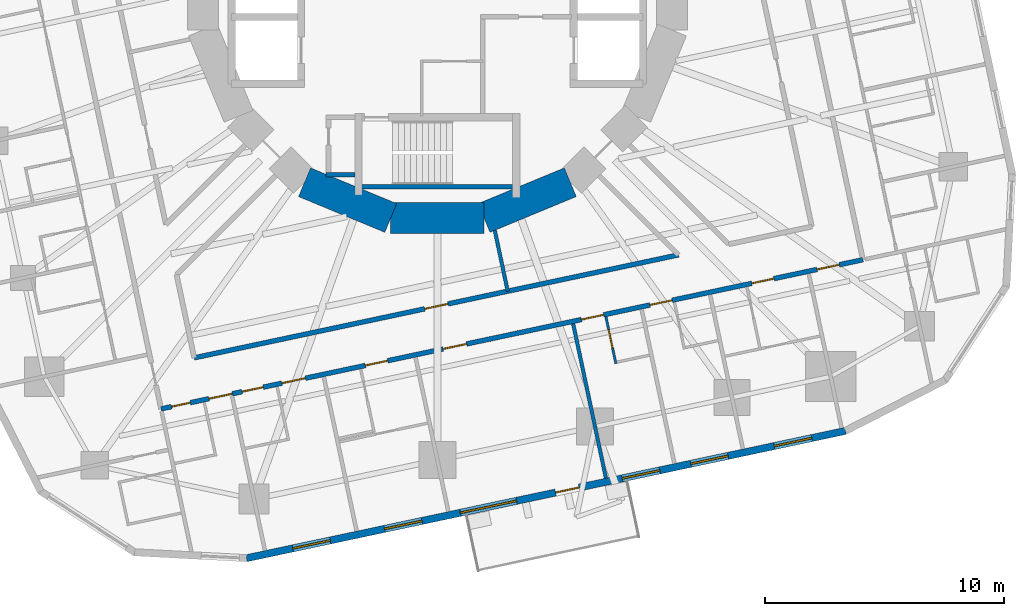
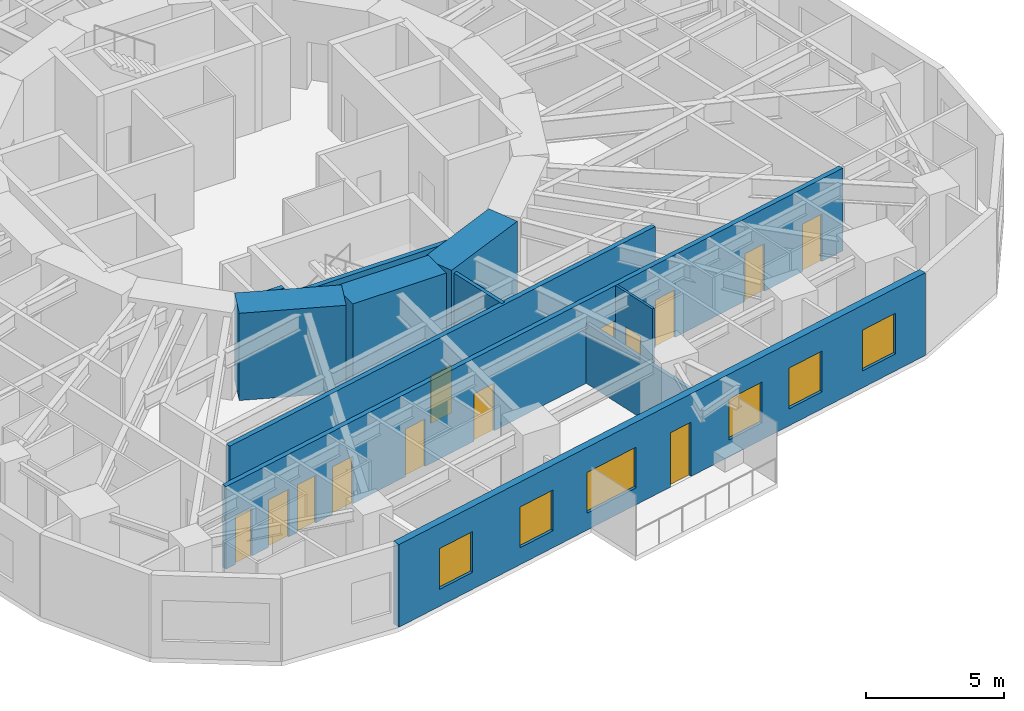
# One storey, part 5 of 14: 13 doors, 11 walls, 6 windows, 19 openings.
"""IFC4 building model written with IfcOpenShell, lengths in metres."""

from ifc_helpers import new_model, si_unit, direction, frame, frame_2d, origin, place, context, subcontext, project, spatial, rectangle, extrude, material, layer, layer_set, type_object, element, fill, save


model = new_model("IFC4")

# Units and contexts
model_context = context("Model", 3, precision=1e-05, world=origin(), true_north=direction((0.0, 1.0)))
body_context = subcontext(model_context, "Body", "Model", "MODEL_VIEW")
ifc_project = project(units=[si_unit("LENGTHUNIT", "METRE"), si_unit("AREAUNIT", "SQUARE_METRE"), si_unit("VOLUMEUNIT", "CUBIC_METRE"), si_unit("PLANEANGLEUNIT", "RADIAN"), si_unit("MASSUNIT", "GRAM", prefix="KILO")], contexts=[model_context])

# Site, building, storey
site_placement = place(None, origin())
site = spatial("IfcSite", under=ifc_project, at=site_placement, CompositionType="ELEMENT")
building_placement = place(site_placement, origin())
building = spatial("IfcBuilding", under=site, at=building_placement, Name="Nakasero Lantern House", CompositionType="ELEMENT")
storey_placement = place(building_placement, frame((0.0, 0.0, 108.85009765625)))
storey = spatial("IfcBuildingStorey", under=building, at=storey_placement, Name="L26", CompositionType="ELEMENT", Elevation=108.85009765625)

# Walls
ifc_material_1 = material(Name="Concrete C50/60", Category="concrete")
ifc_layer_1 = layer(ifc_material_1, 1.300048828125)
ifc_layer_set_1 = layer_set([ifc_layer_1], Name="Core wall 1300")
wall_type_1 = type_object("IfcWallType", Name="Core wall 1300", PredefinedType="SHEAR", material=ifc_layer_set_1)
for number, where, z_axis, x_axis, name in (
    (1, (-5.5556640625, -8.314697265625, 0.0), (0.0, 0.0, 1.0), (0.923876507187, -0.382690736062, 0.0), "Core wall L26 facet 11"),
    (2, (-1.950927734375, -9.807861328125, 0.0), (0.0, 0.0, 1.0), (1.0, 0.0, 0.0), "Core wall L26 facet 12"),
    (3, (1.950927734375, -9.807861328125, 0.0), (0.0, 0.0, 1.0), (0.923876507187, 0.382690736062, 0.0), "Core wall L26 facet 13"),
):
    element("IfcWall", number, at=place(storey_placement, frame(where, z_axis=z_axis, x_axis=x_axis)), inside=storey, type_object=wall_type_1, Name=name, PredefinedType="SHEAR", context=body_context, shape_type="SweptSolid", body=[
        extrude(rectangle(XDim=3.90185546875, YDim=1.300048828125, at=frame_2d((1.950927734375, 0.0))), origin(), (0.0, 0.0, 1.0), 3.849853515625),
    ])

# Wall, openings, doors
ifc_material_2 = material(Name="Blockwork", Category="masonry")
ifc_layer_2 = layer(ifc_material_2, 0.199951171875)
ifc_layer_set_2 = layer_set([ifc_layer_2], Name="Corridor wall 200")
wall_type_2 = type_object("IfcWallType", Name="Corridor wall 200", PredefinedType="PARTITIONING", material=ifc_layer_set_2)
wall_1_placement = place(storey_placement, frame((-11.553466796875, -17.790771484375, 0.0), z_axis=(0.0, 0.0, 1.0), x_axis=(0.978147639417, 0.207911508826, 0.0)))
wall_1 = element("IfcWall", 4, at=wall_1_placement, inside=storey, type_object=wall_type_2, Name="Corridor wall L26 CW3", PredefinedType="PARTITIONING", context=body_context, shape_type="SweptSolid", body=[
    extrude(rectangle(XDim=29.999755859375, YDim=0.199951171875, at=frame_2d((15.0, 0.0))), origin(), (0.0, 0.0, 1.0), 3.64990234375),
])
opening_1_placement = place(wall_1_placement, frame((0.449951171875, 0.0, 0.0)))
opening_1 = element("IfcOpeningElement", 5, at=opening_1_placement, cuts=wall_1, Name="Opening D15", PredefinedType="OPENING", context=body_context, shape_type="SweptSolid", body=[
    extrude(rectangle(XDim=0.800048828125, YDim=2.10009765625, at=frame_2d((0.39990234375, 1.050048828125))), frame((0.0, 0.119873046875, 0.0), z_axis=(0.0, -1.0, 0.0), x_axis=(1.0, 0.0, 0.0)), (0.0, 0.0, 1.0), 0.239990234375),
])
opening_2_placement = place(wall_1_placement, frame((2.050048828125, 0.0, 0.0)))
opening_2 = element("IfcOpeningElement", 6, at=opening_2_placement, cuts=wall_1, Name="Opening D07", PredefinedType="OPENING", context=body_context, shape_type="SweptSolid", body=[
    extrude(rectangle(XDim=1.0, YDim=2.10009765625, at=frame_2d((0.5, 1.050048828125))), frame((0.0, 0.119873046875, 0.0), z_axis=(0.0, -1.0, 0.0), x_axis=(1.0, 0.0, 0.0)), (0.0, 0.0, 1.0), 0.239990234375),
])
opening_3_placement = place(wall_1_placement, frame((3.466064453125, 0.0, 0.0)))
opening_3 = element("IfcOpeningElement", 7, at=opening_3_placement, cuts=wall_1, Name="Opening D16", PredefinedType="OPENING", context=body_context, shape_type="SweptSolid", body=[
    extrude(rectangle(XDim=0.89990234375, YDim=2.10009765625, at=frame_2d((0.449951171875, 1.050048828125))), frame((0.0, 0.119873046875, 0.0), z_axis=(0.0, -1.0, 0.0), x_axis=(1.0, 0.0, 0.0)), (0.0, 0.0, 1.0), 0.239990234375),
])
opening_4_placement = place(wall_1_placement, frame((5.166015625, 0.0, 0.0)))
opening_4 = element("IfcOpeningElement", 8, at=opening_4_placement, cuts=wall_1, Name="Opening D07", PredefinedType="OPENING", context=body_context, shape_type="SweptSolid", body=[
    extrude(rectangle(XDim=1.0, YDim=2.10009765625, at=frame_2d((0.5, 1.050048828125))), frame((0.0, 0.119873046875, 0.0), z_axis=(0.0, -1.0, 0.0), x_axis=(1.0, 0.0, 0.0)), (0.0, 0.0, 1.0), 0.239990234375),
])
opening_5_placement = place(wall_1_placement, frame((8.735595703125, 0.0, 0.0)))
opening_5 = element("IfcOpeningElement", 9, at=opening_5_placement, cuts=wall_1, Name="Opening D01", PredefinedType="OPENING", context=body_context, shape_type="SweptSolid", body=[
    extrude(rectangle(XDim=0.949951171875, YDim=2.10009765625, at=frame_2d((0.47509765625, 1.050048828125))), frame((0.0, 0.119873046875, 0.0), z_axis=(0.0, -1.0, 0.0), x_axis=(1.0, 0.0, 0.0)), (0.0, 0.0, 1.0), 0.239990234375),
])
opening_6_placement = place(wall_1_placement, frame((17.967529296875, 0.0, 0.0)))
opening_6 = element("IfcOpeningElement", 10, at=opening_6_placement, cuts=wall_1, Name="Opening D01", PredefinedType="OPENING", context=body_context, shape_type="SweptSolid", body=[
    extrude(rectangle(XDim=0.949951171875, YDim=2.10009765625, at=frame_2d((0.47509765625, 1.050048828125))), frame((0.0, 0.119873046875, 0.0), z_axis=(0.0, -1.0, 0.0), x_axis=(1.0, 0.0, 0.0)), (0.0, 0.0, 1.0), 0.239990234375),
])
opening_7_placement = place(wall_1_placement, frame((20.89404296875, 0.0, 0.0)))
opening_7 = element("IfcOpeningElement", 11, at=opening_7_placement, cuts=wall_1, Name="Opening D01", PredefinedType="OPENING", context=body_context, shape_type="SweptSolid", body=[
    extrude(rectangle(XDim=0.949951171875, YDim=2.10009765625, at=frame_2d((0.47509765625, 1.050048828125))), frame((0.0, 0.119873046875, 0.0), z_axis=(0.0, -1.0, 0.0), x_axis=(1.0, 0.0, 0.0)), (0.0, 0.0, 1.0), 0.239990234375),
])
opening_8_placement = place(wall_1_placement, frame((25.245361328125, 0.0, 0.0)))
opening_8 = element("IfcOpeningElement", 12, at=opening_8_placement, cuts=wall_1, Name="Opening D01", PredefinedType="OPENING", context=body_context, shape_type="SweptSolid", body=[
    extrude(rectangle(XDim=0.949951171875, YDim=2.10009765625, at=frame_2d((0.47509765625, 1.050048828125))), frame((0.0, 0.119873046875, 0.0), z_axis=(0.0, -1.0, 0.0), x_axis=(1.0, 0.0, 0.0)), (0.0, 0.0, 1.0), 0.239990234375),
])
opening_9_placement = place(wall_1_placement, frame((28.038330078125, 0.0, 0.0)))
opening_9 = element("IfcOpeningElement", 13, at=opening_9_placement, cuts=wall_1, Name="Opening D01", PredefinedType="OPENING", context=body_context, shape_type="SweptSolid", body=[
    extrude(rectangle(XDim=0.949951171875, YDim=2.10009765625, at=frame_2d((0.47509765625, 1.050048828125))), frame((0.0, 0.119873046875, 0.0), z_axis=(0.0, -1.0, 0.0), x_axis=(1.0, 0.0, 0.0)), (0.0, 0.0, 1.0), 0.239990234375),
])
opening_10_placement = place(wall_1_placement, frame((12.05517578125, 0.0, 0.0)))
opening_10 = element("IfcOpeningElement", 14, at=opening_10_placement, cuts=wall_1, Name="Opening D03", PredefinedType="OPENING", context=body_context, shape_type="SweptSolid", body=[
    extrude(rectangle(XDim=1.0, YDim=2.10009765625, at=frame_2d((0.5, 1.050048828125))), frame((0.0, 0.119873046875, 0.0), z_axis=(0.0, -1.0, 0.0), x_axis=(1.0, 0.0, 0.0)), (0.0, 0.0, 1.0), 0.239990234375),
])
ifc_material_3 = material(Name="Timber C24", Category="wood")
door_type_1 = type_object("IfcDoorType", Name="Accessible WC door 900", OperationType="SINGLE_SWING_RIGHT", PredefinedType="DOOR", material=ifc_material_3)
door_1_placement = place(opening_3_placement, origin())
door_1 = element("IfcDoor", 15, at=door_1_placement, inside=storey, type_object=door_type_1, Name="Door L26 DS3-01", OperationType="SINGLE_SWING_LEFT", OverallHeight=2.10009765625, OverallWidth=0.89990234375, PredefinedType="DOOR", context=body_context, shape_type="SweptSolid", body=[
    extrude(rectangle(XDim=0.89990234375, YDim=2.10009765625, at=frame_2d((0.449951171875, 1.050048828125))), frame((0.0, 0.02490234375, 0.0), z_axis=(0.0, -1.0, 0.0), x_axis=(1.0, 0.0, 0.0)), (0.0, 0.0, 1.0), 0.050048828125),
])
fill(opening_3, door_1)
ifc_material_4 = material(Name="Timber C24", Category="wood")
door_type_2 = type_object("IfcDoorType", Name="Bedroom door FD30S 950", OperationType="SINGLE_SWING_LEFT", PredefinedType="DOOR", material=ifc_material_4)
door_2_placement = place(opening_5_placement, origin())
door_2 = element("IfcDoor", 16, at=door_2_placement, inside=storey, type_object=door_type_2, Name="Door L26 D3-02", OperationType="SINGLE_SWING_LEFT", OverallHeight=2.10009765625, OverallWidth=0.949951171875, PredefinedType="DOOR", context=body_context, shape_type="SweptSolid", body=[
    extrude(rectangle(XDim=0.949951171875, YDim=2.10009765625, at=frame_2d((0.47509765625, 1.050048828125))), frame((0.0, 0.02490234375, 0.0), z_axis=(0.0, -1.0, 0.0), x_axis=(1.0, 0.0, 0.0)), (0.0, 0.0, 1.0), 0.050048828125),
])
fill(opening_5, door_2)
door_3_placement = place(opening_6_placement, origin())
door_3 = element("IfcDoor", 17, at=door_3_placement, inside=storey, type_object=door_type_2, Name="Door L26 D3-05", OperationType="SINGLE_SWING_RIGHT", OverallHeight=2.10009765625, OverallWidth=0.949951171875, PredefinedType="DOOR", context=body_context, shape_type="SweptSolid", body=[
    extrude(rectangle(XDim=0.949951171875, YDim=2.10009765625, at=frame_2d((0.47509765625, 1.050048828125))), frame((0.0, 0.02490234375, 0.0), z_axis=(0.0, -1.0, 0.0), x_axis=(1.0, 0.0, 0.0)), (0.0, 0.0, 1.0), 0.050048828125),
])
fill(opening_6, door_3)
door_4_placement = place(opening_7_placement, origin())
door_4 = element("IfcDoor", 18, at=door_4_placement, inside=storey, type_object=door_type_2, Name="Door L26 D3-06", OperationType="SINGLE_SWING_RIGHT", OverallHeight=2.10009765625, OverallWidth=0.949951171875, PredefinedType="DOOR", context=body_context, shape_type="SweptSolid", body=[
    extrude(rectangle(XDim=0.949951171875, YDim=2.10009765625, at=frame_2d((0.47509765625, 1.050048828125))), frame((0.0, 0.02490234375, 0.0), z_axis=(0.0, -1.0, 0.0), x_axis=(1.0, 0.0, 0.0)), (0.0, 0.0, 1.0), 0.050048828125),
])
fill(opening_7, door_4)
door_5_placement = place(opening_8_placement, origin())
door_5 = element("IfcDoor", 19, at=door_5_placement, inside=storey, type_object=door_type_2, Name="Door L26 D3-07", OperationType="SINGLE_SWING_RIGHT", OverallHeight=2.10009765625, OverallWidth=0.949951171875, PredefinedType="DOOR", context=body_context, shape_type="SweptSolid", body=[
    extrude(rectangle(XDim=0.949951171875, YDim=2.10009765625, at=frame_2d((0.47509765625, 1.050048828125))), frame((0.0, 0.02490234375, 0.0), z_axis=(0.0, -1.0, 0.0), x_axis=(1.0, 0.0, 0.0)), (0.0, 0.0, 1.0), 0.050048828125),
])
fill(opening_8, door_5)
door_6_placement = place(opening_9_placement, origin())
door_6 = element("IfcDoor", 20, at=door_6_placement, inside=storey, type_object=door_type_2, Name="Door L26 D3-08", OperationType="SINGLE_SWING_RIGHT", OverallHeight=2.10009765625, OverallWidth=0.949951171875, PredefinedType="DOOR", context=body_context, shape_type="SweptSolid", body=[
    extrude(rectangle(XDim=0.949951171875, YDim=2.10009765625, at=frame_2d((0.47509765625, 1.050048828125))), frame((0.0, 0.02490234375, 0.0), z_axis=(0.0, -1.0, 0.0), x_axis=(1.0, 0.0, 0.0)), (0.0, 0.0, 1.0), 0.050048828125),
])
fill(opening_9, door_6)
ifc_material_5 = material(Name="Timber C24", Category="wood")
door_type_3 = type_object("IfcDoorType", Name="Cleaner's store door FD30S 800", OperationType="SINGLE_SWING_LEFT", PredefinedType="DOOR", material=ifc_material_5)
door_7_placement = place(opening_1_placement, origin())
door_7 = element("IfcDoor", 21, at=door_7_placement, inside=storey, type_object=door_type_3, Name="Door L26 DS3-00", OperationType="SINGLE_SWING_LEFT", OverallHeight=2.10009765625, OverallWidth=0.800048828125, PredefinedType="DOOR", context=body_context, shape_type="SweptSolid", body=[
    extrude(rectangle(XDim=0.800048828125, YDim=2.10009765625, at=frame_2d((0.39990234375, 1.050048828125))), frame((0.0, 0.02490234375, 0.0), z_axis=(0.0, -1.0, 0.0), x_axis=(1.0, 0.0, 0.0)), (0.0, 0.0, 1.0), 0.050048828125),
])
fill(opening_1, door_7)
ifc_material_6 = material(Name="Timber C24", Category="wood")
door_type_4 = type_object("IfcDoorType", Name="Lounge door FD30S 1000", OperationType="SINGLE_SWING_LEFT", PredefinedType="DOOR", material=ifc_material_6)
door_8_placement = place(opening_10_placement, origin())
door_8 = element("IfcDoor", 22, at=door_8_placement, inside=storey, type_object=door_type_4, Name="Door L26 DK3", OperationType="SINGLE_SWING_LEFT", OverallHeight=2.10009765625, OverallWidth=1.0, PredefinedType="DOOR", context=body_context, shape_type="SweptSolid", body=[
    extrude(rectangle(XDim=1.0, YDim=2.10009765625, at=frame_2d((0.5, 1.050048828125))), frame((0.0, 0.02490234375, 0.0), z_axis=(0.0, -1.0, 0.0), x_axis=(1.0, 0.0, 0.0)), (0.0, 0.0, 1.0), 0.050048828125),
])
fill(opening_10, door_8)
ifc_material_7 = material(Name="Timber C24", Category="wood")
door_type_5 = type_object("IfcDoorType", Name="Room door FD30S 1000", OperationType="SINGLE_SWING_LEFT", PredefinedType="DOOR", material=ifc_material_7)
door_9_placement = place(opening_2_placement, origin())
door_9 = element("IfcDoor", 23, at=door_9_placement, inside=storey, type_object=door_type_5, Name="Door L26 D3-00", OperationType="SINGLE_SWING_LEFT", OverallHeight=2.10009765625, OverallWidth=1.0, PredefinedType="DOOR", context=body_context, shape_type="SweptSolid", body=[
    extrude(rectangle(XDim=1.0, YDim=2.10009765625, at=frame_2d((0.5, 1.050048828125))), frame((0.0, 0.02490234375, 0.0), z_axis=(0.0, -1.0, 0.0), x_axis=(1.0, 0.0, 0.0)), (0.0, 0.0, 1.0), 0.050048828125),
])
fill(opening_2, door_9)
door_10_placement = place(opening_4_placement, origin())
door_10 = element("IfcDoor", 24, at=door_10_placement, inside=storey, type_object=door_type_5, Name="Door L26 D3-01", OperationType="SINGLE_SWING_LEFT", OverallHeight=2.10009765625, OverallWidth=1.0, PredefinedType="DOOR", context=body_context, shape_type="SweptSolid", body=[
    extrude(rectangle(XDim=1.0, YDim=2.10009765625, at=frame_2d((0.5, 1.050048828125))), frame((0.0, 0.02490234375, 0.0), z_axis=(0.0, -1.0, 0.0), x_axis=(1.0, 0.0, 0.0)), (0.0, 0.0, 1.0), 0.050048828125),
])
fill(opening_4, door_10)

# Wall, opening, door
wall_2_placement = place(storey_placement, frame((-10.1669921875, -15.656005859375, 0.0), z_axis=(0.0, 0.0, 1.0), x_axis=(0.978145959178, 0.207919413582, 0.0)))
wall_2 = element("IfcWall", 25, at=wall_2_placement, inside=storey, type_object=wall_type_2, Name="Corridor wall L26 IW3-0", PredefinedType="PARTITIONING", context=body_context, shape_type="SweptSolid", body=[
    extrude(rectangle(XDim=20.698974609375, YDim=0.199951171875, at=frame_2d((10.349609375, 0.0))), origin(), (0.0, 0.0, 1.0), 3.64990234375),
])
opening_11_placement = place(wall_2_placement, frame((9.849609375, 0.0, 0.0)))
opening_11 = element("IfcOpeningElement", 26, at=opening_11_placement, cuts=wall_2, Name="Opening D07", PredefinedType="OPENING", context=body_context, shape_type="SweptSolid", body=[
    extrude(rectangle(XDim=1.0, YDim=2.10009765625, at=frame_2d((0.5, 1.050048828125))), frame((0.0, 0.119873046875, 0.0), z_axis=(0.0, -1.0, 0.0), x_axis=(1.0, 0.0, 0.0)), (0.0, 0.0, 1.0), 0.239990234375),
])
door_11_placement = place(opening_11_placement, origin())
door_11 = element("IfcDoor", 27, at=door_11_placement, inside=storey, type_object=door_type_5, Name="Door L26 DI2", OperationType="SINGLE_SWING_RIGHT", OverallHeight=2.10009765625, OverallWidth=1.0, PredefinedType="DOOR", context=body_context, shape_type="SweptSolid", body=[
    extrude(rectangle(XDim=1.0, YDim=2.10009765625, at=frame_2d((0.5, 1.050048828125))), frame((0.0, 0.02490234375, 0.0), z_axis=(0.0, -1.0, 0.0), x_axis=(1.0, 0.0, 0.0)), (0.0, 0.0, 1.0), 0.050048828125),
])
fill(opening_11, door_11)

ifc_material_8 = material(Name="Blockwork", Category="masonry")
ifc_layer_3 = layer(ifc_material_8, 0.10009765625)
ifc_layer_set_3 = layer_set([ifc_layer_3], Name="En-suite wall 100")
wall_type_3 = type_object("IfcWallType", Name="En-suite wall 100", PredefinedType="PARTITIONING", material=ifc_layer_set_3)
wall_3_placement = place(storey_placement, frame((7.046142578125, -13.939697265625, 0.0), z_axis=(0.0, 0.0, 1.0), x_axis=(0.207886494942, -0.978152955943, 0.0)))
wall_3 = element("IfcWall", 28, at=wall_3_placement, inside=storey, type_object=wall_type_3, Name="En-suite wall L26 ES3-05", PredefinedType="PARTITIONING", context=body_context, shape_type="SweptSolid", body=[
    extrude(rectangle(XDim=2.0, YDim=0.10009765625, at=frame_2d((1.0, 0.0))), origin(), (0.0, 0.0, 1.0), 3.64990234375),
])
opening_12_placement = place(wall_3_placement, frame((0.550048828125, 0.0, 0.0)))
opening_12 = element("IfcOpeningElement", 29, at=opening_12_placement, cuts=wall_3, Name="Opening D02", PredefinedType="OPENING", context=body_context, shape_type="SweptSolid", body=[
    extrude(rectangle(XDim=0.800048828125, YDim=2.10009765625, at=frame_2d((0.39990234375, 1.050048828125))), frame((0.0, 0.070068359375, 0.0), z_axis=(0.0, -1.0, 0.0), x_axis=(1.0, 0.0, 0.0)), (0.0, 0.0, 1.0), 0.14013671875),
])
ifc_material_9 = material(Name="Timber C24", Category="wood")
door_type_6 = type_object("IfcDoorType", Name="En-suite door 800", OperationType="SINGLE_SWING_RIGHT", PredefinedType="DOOR", material=ifc_material_9)
door_12_placement = place(opening_12_placement, origin())
door_12 = element("IfcDoor", 30, at=door_12_placement, inside=storey, type_object=door_type_6, Name="Door L26 DE3-05", OperationType="SINGLE_SWING_LEFT", OverallHeight=2.10009765625, OverallWidth=0.800048828125, PredefinedType="DOOR", context=body_context, shape_type="SweptSolid", body=[
    extrude(rectangle(XDim=0.800048828125, YDim=2.10009765625, at=frame_2d((0.39990234375, 1.050048828125))), frame((0.0, 0.02490234375, 0.0), z_axis=(0.0, -1.0, 0.0), x_axis=(1.0, 0.0, 0.0)), (0.0, 0.0, 1.0), 0.050048828125),
])
fill(opening_12, door_12)

# Wall, openings, door, windows
ifc_material_10 = material(Name="Aluminium rainscreen on blockwork", Category="masonry")
ifc_layer_4 = layer(ifc_material_10, 0.300048828125)
ifc_layer_set_4 = layer_set([ifc_layer_4], Name="Facade wall 300")
wall_type_4 = type_object("IfcWallType", Name="Facade wall 300", PredefinedType="SOLIDWALL", material=ifc_layer_set_4)
wall_4_placement = place(storey_placement, frame((-7.9775390625, -24.03369140625, 0.0), z_axis=(0.0, 0.0, 1.0), x_axis=(0.978148160964, 0.207909055127, 0.0)))
wall_4 = element("IfcWall", 31, at=wall_4_placement, inside=storey, type_object=wall_type_4, Name="Facade wall L26 FW3S", PredefinedType="SOLIDWALL", context=body_context, shape_type="SweptSolid", body=[
    extrude(rectangle(XDim=25.60009765625, YDim=0.300048828125, at=frame_2d((12.800048828125, 0.0))), origin(), (0.0, 0.0, 1.0), 3.64990234375),
])
opening_13_placement = place(wall_4_placement, frame((1.975830078125, 0.0, 0.75)))
opening_13 = element("IfcOpeningElement", 32, at=opening_13_placement, cuts=wall_4, Name="Opening W01", PredefinedType="OPENING", context=body_context, shape_type="SweptSolid", body=[
    extrude(rectangle(XDim=1.60009765625, YDim=1.800048828125, at=frame_2d((0.800048828125, 0.89990234375))), frame((0.0, 0.169921875, 0.0), z_axis=(0.0, -1.0, 0.0), x_axis=(1.0, 0.0, 0.0)), (0.0, 0.0, 1.0), 0.340087890625),
])
opening_14_placement = place(wall_4_placement, frame((5.8955078125, 0.0, 0.75)))
opening_14 = element("IfcOpeningElement", 33, at=opening_14_placement, cuts=wall_4, Name="Opening W01", PredefinedType="OPENING", context=body_context, shape_type="SweptSolid", body=[
    extrude(rectangle(XDim=1.60009765625, YDim=1.800048828125, at=frame_2d((0.800048828125, 0.89990234375))), frame((0.0, 0.169921875, 0.0), z_axis=(0.0, -1.0, 0.0), x_axis=(1.0, 0.0, 0.0)), (0.0, 0.0, 1.0), 0.340087890625),
])
opening_15_placement = place(wall_4_placement, frame((16.0556640625, 0.0, 0.75)))
opening_15 = element("IfcOpeningElement", 34, at=opening_15_placement, cuts=wall_4, Name="Opening W01", PredefinedType="OPENING", context=body_context, shape_type="SweptSolid", body=[
    extrude(rectangle(XDim=1.60009765625, YDim=1.800048828125, at=frame_2d((0.800048828125, 0.89990234375))), frame((0.0, 0.169921875, 0.0), z_axis=(0.0, -1.0, 0.0), x_axis=(1.0, 0.0, 0.0)), (0.0, 0.0, 1.0), 0.340087890625),
])
opening_16_placement = place(wall_4_placement, frame((18.982177734375, 0.0, 0.75)))
opening_16 = element("IfcOpeningElement", 35, at=opening_16_placement, cuts=wall_4, Name="Opening W01", PredefinedType="OPENING", context=body_context, shape_type="SweptSolid", body=[
    extrude(rectangle(XDim=1.60009765625, YDim=1.800048828125, at=frame_2d((0.800048828125, 0.89990234375))), frame((0.0, 0.169921875, 0.0), z_axis=(0.0, -1.0, 0.0), x_axis=(1.0, 0.0, 0.0)), (0.0, 0.0, 1.0), 0.340087890625),
])
opening_17_placement = place(wall_4_placement, frame((22.554443359375, 0.0, 0.75)))
opening_17 = element("IfcOpeningElement", 36, at=opening_17_placement, cuts=wall_4, Name="Opening W01", PredefinedType="OPENING", context=body_context, shape_type="SweptSolid", body=[
    extrude(rectangle(XDim=1.60009765625, YDim=1.800048828125, at=frame_2d((0.800048828125, 0.89990234375))), frame((0.0, 0.169921875, 0.0), z_axis=(0.0, -1.0, 0.0), x_axis=(1.0, 0.0, 0.0)), (0.0, 0.0, 1.0), 0.340087890625),
])
opening_18_placement = place(wall_4_placement, frame((9.139404296875, 0.0, 0.75)))
opening_18 = element("IfcOpeningElement", 37, at=opening_18_placement, cuts=wall_4, Name="Opening W03", PredefinedType="OPENING", context=body_context, shape_type="SweptSolid", body=[
    extrude(rectangle(XDim=2.39990234375, YDim=1.800048828125, at=frame_2d((1.199951171875, 0.89990234375))), frame((0.0, 0.169921875, 0.0), z_axis=(0.0, -1.0, 0.0), x_axis=(1.0, 0.0, 0.0)), (0.0, 0.0, 1.0), 0.340087890625),
])
opening_19_placement = place(wall_4_placement, frame((13.208251953125, 0.0, 0.0)))
opening_19 = element("IfcOpeningElement", 38, at=opening_19_placement, cuts=wall_4, Name="Opening D04", PredefinedType="OPENING", context=body_context, shape_type="SweptSolid", body=[
    extrude(rectangle(XDim=1.0, YDim=2.39990234375, at=frame_2d((0.5, 1.199951171875))), frame((0.0, 0.169921875, 0.0), z_axis=(0.0, -1.0, 0.0), x_axis=(1.0, 0.0, 0.0)), (0.0, 0.0, 1.0), 0.340087890625),
])
ifc_material_11 = material(Name="Aluminium 6063-T6 and glass", Category="aluminium")
door_type_7 = type_object("IfcDoorType", Name="Balcony door 1000x2400", OperationType="SINGLE_SWING_RIGHT", PredefinedType="DOOR", material=ifc_material_11)
door_13_placement = place(opening_19_placement, origin())
door_13 = element("IfcDoor", 39, at=door_13_placement, inside=storey, type_object=door_type_7, Name="Balcony door L26 DB3", OperationType="SINGLE_SWING_RIGHT", OverallHeight=2.39990234375, OverallWidth=1.0, PredefinedType="DOOR", context=body_context, shape_type="SweptSolid", body=[
    extrude(rectangle(XDim=1.0, YDim=2.39990234375, at=frame_2d((0.5, 1.199951171875))), frame((0.0, 0.02490234375, 0.0), z_axis=(0.0, -1.0, 0.0), x_axis=(1.0, 0.0, 0.0)), (0.0, 0.0, 1.0), 0.050048828125),
])
fill(opening_19, door_13)
ifc_material_12 = material(Name="Aluminium 6063-T6 and glass", Category="aluminium")
window_type_1 = type_object("IfcWindowType", Name="Bedroom window 1600x1800", PartitioningType="SINGLE_PANEL", PredefinedType="WINDOW", material=ifc_material_12)
window_1_placement = place(opening_13_placement, origin())
window_1 = element("IfcWindow", 40, at=window_1_placement, inside=storey, type_object=window_type_1, Name="Window L26 WN3-01", OverallHeight=1.800048828125, OverallWidth=1.60009765625, PartitioningType="SINGLE_PANEL", PredefinedType="WINDOW", context=body_context, shape_type="SweptSolid", body=[
    extrude(rectangle(XDim=1.60009765625, YDim=1.800048828125, at=frame_2d((0.800048828125, 0.89990234375))), frame((0.0, 0.030029296875, 0.0), z_axis=(0.0, -1.0, 0.0), x_axis=(1.0, 0.0, 0.0)), (0.0, 0.0, 1.0), 0.06005859375),
])
fill(opening_13, window_1)
window_2_placement = place(opening_14_placement, origin())
window_2 = element("IfcWindow", 41, at=window_2_placement, inside=storey, type_object=window_type_1, Name="Window L26 WN3-02", OverallHeight=1.800048828125, OverallWidth=1.60009765625, PartitioningType="SINGLE_PANEL", PredefinedType="WINDOW", context=body_context, shape_type="SweptSolid", body=[
    extrude(rectangle(XDim=1.60009765625, YDim=1.800048828125, at=frame_2d((0.800048828125, 0.89990234375))), frame((0.0, 0.030029296875, 0.0), z_axis=(0.0, -1.0, 0.0), x_axis=(1.0, 0.0, 0.0)), (0.0, 0.0, 1.0), 0.06005859375),
])
fill(opening_14, window_2)
window_3_placement = place(opening_15_placement, origin())
window_3 = element("IfcWindow", 42, at=window_3_placement, inside=storey, type_object=window_type_1, Name="Window L26 WN3-05", OverallHeight=1.800048828125, OverallWidth=1.60009765625, PartitioningType="SINGLE_PANEL", PredefinedType="WINDOW", context=body_context, shape_type="SweptSolid", body=[
    extrude(rectangle(XDim=1.60009765625, YDim=1.800048828125, at=frame_2d((0.800048828125, 0.89990234375))), frame((0.0, 0.030029296875, 0.0), z_axis=(0.0, -1.0, 0.0), x_axis=(1.0, 0.0, 0.0)), (0.0, 0.0, 1.0), 0.06005859375),
])
fill(opening_15, window_3)
window_4_placement = place(opening_16_placement, origin())
window_4 = element("IfcWindow", 43, at=window_4_placement, inside=storey, type_object=window_type_1, Name="Window L26 WN3-06", OverallHeight=1.800048828125, OverallWidth=1.60009765625, PartitioningType="SINGLE_PANEL", PredefinedType="WINDOW", context=body_context, shape_type="SweptSolid", body=[
    extrude(rectangle(XDim=1.60009765625, YDim=1.800048828125, at=frame_2d((0.800048828125, 0.89990234375))), frame((0.0, 0.030029296875, 0.0), z_axis=(0.0, -1.0, 0.0), x_axis=(1.0, 0.0, 0.0)), (0.0, 0.0, 1.0), 0.06005859375),
])
fill(opening_16, window_4)
window_5_placement = place(opening_17_placement, origin())
window_5 = element("IfcWindow", 44, at=window_5_placement, inside=storey, type_object=window_type_1, Name="Window L26 WN3-07", OverallHeight=1.800048828125, OverallWidth=1.60009765625, PartitioningType="SINGLE_PANEL", PredefinedType="WINDOW", context=body_context, shape_type="SweptSolid", body=[
    extrude(rectangle(XDim=1.60009765625, YDim=1.800048828125, at=frame_2d((0.800048828125, 0.89990234375))), frame((0.0, 0.030029296875, 0.0), z_axis=(0.0, -1.0, 0.0), x_axis=(1.0, 0.0, 0.0)), (0.0, 0.0, 1.0), 0.06005859375),
])
fill(opening_17, window_5)
ifc_material_13 = material(Name="Aluminium 6063-T6 and glass", Category="aluminium")
window_type_2 = type_object("IfcWindowType", Name="Lounge window 2400x1800", PartitioningType="SINGLE_PANEL", PredefinedType="WINDOW", material=ifc_material_13)
window_6_placement = place(opening_18_placement, origin())
window_6 = element("IfcWindow", 45, at=window_6_placement, inside=storey, type_object=window_type_2, Name="Window L26 WK3", OverallHeight=1.800048828125, OverallWidth=2.39990234375, PartitioningType="SINGLE_PANEL", PredefinedType="WINDOW", context=body_context, shape_type="SweptSolid", body=[
    extrude(rectangle(XDim=2.39990234375, YDim=1.800048828125, at=frame_2d((1.199951171875, 0.89990234375))), frame((0.0, 0.030029296875, 0.0), z_axis=(0.0, -1.0, 0.0), x_axis=(1.0, 0.0, 0.0)), (0.0, 0.0, 1.0), 0.06005859375),
])
fill(opening_18, window_6)

# Walls
ifc_material_14 = material(Name="Blockwork", Category="masonry")
ifc_layer_5 = layer(ifc_material_14, 0.199951171875)
ifc_layer_set_5 = layer_set([ifc_layer_5], Name="Fire lobby wall 200")
wall_type_5 = type_object("IfcWallType", Name="Fire lobby wall 200", PredefinedType="PARTITIONING", material=ifc_layer_set_5)
wall_5_placement = place(storey_placement, frame((-3.449951171875, -8.0, 0.0), z_axis=(0.0, 0.0, 1.0), x_axis=(-1.0, 0.0, 0.0)))
element("IfcWall", 46, at=wall_5_placement, inside=storey, type_object=wall_type_5, Name="Fire lobby wall L26 W-RS2S", PredefinedType="PARTITIONING", context=body_context, shape_type="SweptSolid", body=[
    extrude(rectangle(XDim=1.199951171875, YDim=0.199951171875, at=frame_2d((0.60009765625, 0.0))), origin(), (0.0, 0.0, 1.0), 3.64990234375),
])
wall_6_placement = place(storey_placement, frame((-3.300048828125, -8.5, 0.0), z_axis=(0.0, 0.0, 1.0), x_axis=(1.0, 0.0, 0.0)))
element("IfcWall", 47, at=wall_6_placement, inside=storey, type_object=wall_type_5, Name="Fire lobby wall L26 W-STS", PredefinedType="PARTITIONING", context=body_context, shape_type="SweptSolid", body=[
    extrude(rectangle(XDim=6.60009765625, YDim=0.199951171875, at=frame_2d((3.300048828125, 0.0))), origin(), (0.0, 0.0, 1.0), 3.64990234375),
])
ifc_material_15 = material(Name="Blockwork", Category="masonry")
ifc_layer_6 = layer(ifc_material_15, 0.14990234375)
ifc_layer_set_6 = layer_set([ifc_layer_6], Name="Party wall 150")
wall_type_6 = type_object("IfcWallType", Name="Party wall 150", PredefinedType="PARTITIONING", material=ifc_layer_set_6)
wall_7_placement = place(storey_placement, frame((5.67529296875, -14.23095703125, 0.0), z_axis=(0.0, 0.0, 1.0), x_axis=(0.207924673876, -0.978144841009, 0.0)))
element("IfcWall", 48, at=wall_7_placement, inside=storey, type_object=wall_type_6, Name="Party wall L26 PW3-05", PredefinedType="PARTITIONING", context=body_context, shape_type="SweptSolid", body=[
    extrude(rectangle(XDim=6.60009765625, YDim=0.14990234375, at=frame_2d((3.300048828125, 0.0))), origin(), (0.0, 0.0, 1.0), 2.641845703125),
])
wall_8_placement = place(storey_placement, frame((2.940185546875, -12.869873046875, 0.0), z_axis=(0.0, 0.0, 1.0), x_axis=(-0.207996830597, 0.978129499842, 0.0)))
element("IfcWall", 49, at=wall_8_placement, inside=storey, type_object=wall_type_6, Name="Party wall L26 IM3", PredefinedType="PARTITIONING", context=body_context, shape_type="SweptSolid", body=[
    extrude(rectangle(XDim=2.60107421875, YDim=0.14990234375, at=frame_2d((1.300537109375, 0.0))), origin(), (0.0, 0.0, 1.0), 3.64990234375),
])

save(model, "model.ifc")
